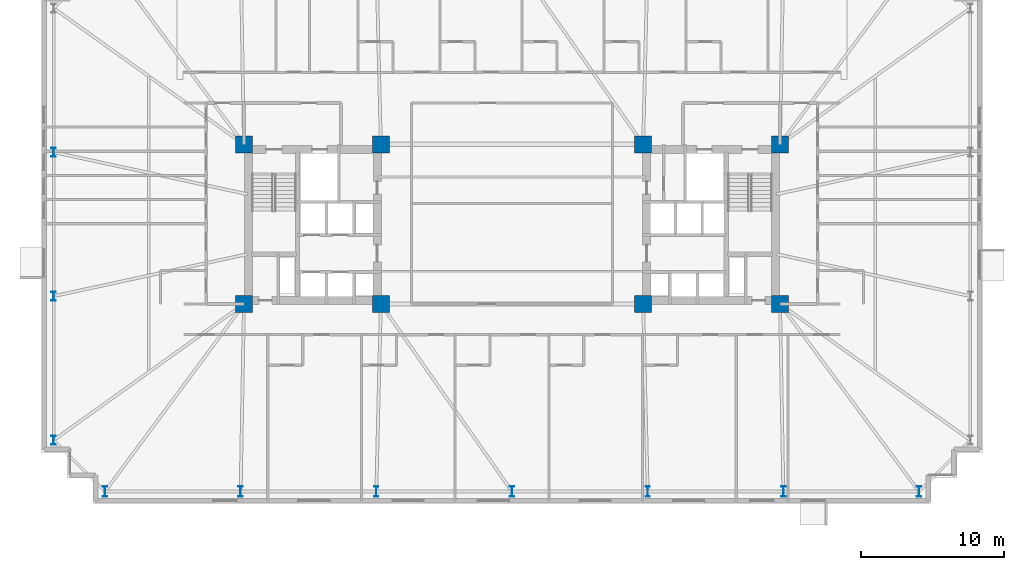
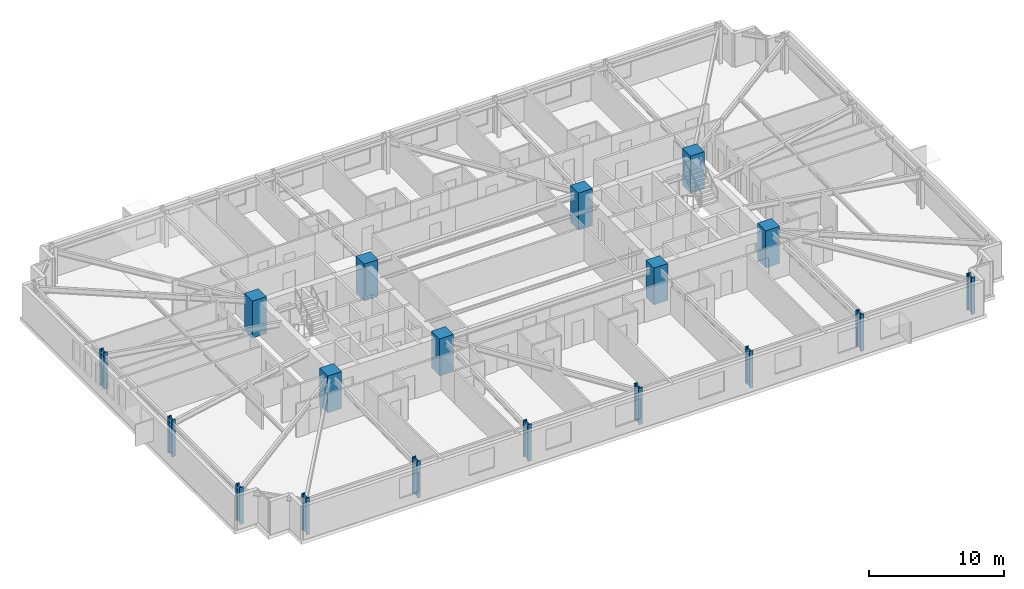
# One storey, part 1 of 22: 18 columns.
"""IFC4 building model written with IfcOpenShell, lengths in metres."""

from ifc_helpers import new_model, si_unit, direction, frame, origin, origin_2d, place, context, subcontext, project, spatial, rectangle, i_section, extrude, material, material_profile, profile_set, type_object, element, save


model = new_model("IFC4")

# Units and contexts
model_context = context("Model", 3, precision=1e-05, world=origin(), true_north=direction((0.0, 1.0)))
body_context = subcontext(model_context, "Body", "Model", "MODEL_VIEW")
ifc_project = project(units=[si_unit("LENGTHUNIT", "METRE"), si_unit("AREAUNIT", "SQUARE_METRE"), si_unit("VOLUMEUNIT", "CUBIC_METRE"), si_unit("PLANEANGLEUNIT", "RADIAN"), si_unit("MASSUNIT", "GRAM", prefix="KILO")], contexts=[model_context])

# Site, building, storey
site_placement = place(None, origin())
site = spatial("IfcSite", under=ifc_project, at=site_placement, CompositionType="ELEMENT")
building_placement = place(site_placement, origin())
building = spatial("IfcBuilding", under=site, at=building_placement, Name="Qobustan Lattice House", CompositionType="ELEMENT")
storey_placement = place(building_placement, frame((0.0, 0.0, 53.800048828125)))
storey = spatial("IfcBuildingStorey", under=building, at=storey_placement, Name="L14", CompositionType="ELEMENT", Elevation=53.800048828125)

# Columns
ifc_material_1 = material(Name="Concrete C60/75", Category="concrete")
ifc_material_profile_1 = material_profile(ifc_material_1, rectangle(XDim=1.199951171875, YDim=1.199951171875, at=origin_2d()), Name="RC1200x1200")
ifc_profile_set_1 = profile_set([ifc_material_profile_1], Name="Concrete C60/75")
column_type_1 = type_object("IfcColumnType", Name="COL-RC-1200", PredefinedType="COLUMN", material=ifc_profile_set_1)
for number, where, z_axis, x_axis, name in (
    (1, (-18.800048828125, -5.60009765625, 0.0), (0.0, 0.0, 1.0), (1.0, 0.0, 0.0), "L14 core mega-column CW-SW"),
    (2, (-18.800048828125, 5.60009765625, 0.0), (0.0, 0.0, 1.0), (1.0, 0.0, 0.0), "L14 core mega-column CW-NW"),
    (3, (-9.199951171875, -5.60009765625, 0.0), (0.0, 0.0, 1.0), (1.0, 0.0, 0.0), "L14 core mega-column CW-SE"),
    (4, (-9.199951171875, 5.60009765625, 0.0), (0.0, 0.0, 1.0), (1.0, 0.0, 0.0), "L14 core mega-column CW-NE"),
    (5, (9.199951171875, -5.60009765625, 0.0), (0.0, 0.0, 1.0), (1.0, 0.0, 0.0), "L14 core mega-column CE-SW"),
    (6, (9.199951171875, 5.60009765625, 0.0), (0.0, 0.0, 1.0), (1.0, 0.0, 0.0), "L14 core mega-column CE-NW"),
    (7, (18.800048828125, -5.60009765625, 0.0), (0.0, 0.0, 1.0), (1.0, 0.0, 0.0), "L14 core mega-column CE-SE"),
    (8, (18.800048828125, 5.60009765625, 0.0), (0.0, 0.0, 1.0), (1.0, 0.0, 0.0), "L14 core mega-column CE-NE"),
):
    element("IfcColumn", number, at=place(storey_placement, frame(where, z_axis=z_axis, x_axis=x_axis)), inside=storey, type_object=column_type_1, Name=name, PredefinedType="COLUMN", context=body_context, shape_type="SweptSolid", body=[
        extrude(rectangle(XDim=1.199951171875, YDim=1.199951171875, at=origin_2d()), origin(), (0.0, 0.0, 1.0), 3.349853515625),
    ])
ifc_material_2 = material(Name="Steel S460", Category="steel")
ifc_material_profile_2 = material_profile(ifc_material_2, i_section(OverallWidth=0.304931640625, OverallDepth=0.6201171875, WebThickness=0.02099609375, FlangeThickness=0.0400390625, FilletRadius=0.027099609375, at=origin_2d()), Name="HEM600")
ifc_profile_set_2 = profile_set([ifc_material_profile_2], Name="Steel S460")
column_type_2 = type_object("IfcColumnType", Name="COL-ST-HEM600", PredefinedType="COLUMN", material=ifc_profile_set_2)
for number, where, z_axis, x_axis, name in (
    (9, (-32.14990234375, 5.050048828125, 0.0), (0.0, 0.0, 1.0), (1.0, 0.0, 0.0), "L14 B1 perimeter column W2"),
    (10, (-32.14990234375, -5.050048828125, 0.0), (0.0, 0.0, 1.0), (1.0, 0.0, 0.0), "L14 B1 perimeter column W3"),
    (11, (-32.14990234375, -15.14990234375, 0.0), (0.0, 0.0, 1.0), (1.0, 0.0, 0.0), "L14 B1 perimeter column W4"),
):
    element("IfcColumn", number, at=place(storey_placement, frame(where, z_axis=z_axis, x_axis=x_axis)), inside=storey, type_object=column_type_2, Name=name, PredefinedType="COLUMN", context=body_context, shape_type="SweptSolid", body=[
        extrude(i_section(OverallWidth=0.304931640625, OverallDepth=0.6201171875, WebThickness=0.02099609375, FlangeThickness=0.0400390625, FilletRadius=0.027099609375, at=origin_2d()), origin(), (0.0, 0.0, 1.0), 3.349853515625),
    ])
ifc_material_3 = material(Name="Steel S460", Category="steel")
ifc_material_profile_3 = material_profile(ifc_material_3, i_section(OverallWidth=0.303955078125, OverallDepth=0.716064453125, WebThickness=0.02099609375, FlangeThickness=0.0400390625, FilletRadius=0.027099609375, at=origin_2d()), Name="HEM700")
ifc_profile_set_3 = profile_set([ifc_material_profile_3], Name="Steel S460")
column_type_3 = type_object("IfcColumnType", Name="COL-ST-HEM700", PredefinedType="COLUMN", material=ifc_profile_set_3)
for number, where, z_axis, x_axis, name in (
    (12, (-28.550048828125, -18.75, 0.0), (0.0, 0.0, 1.0), (1.0, 0.0, 0.0), "L14 B1 perimeter column S1"),
    (13, (-19.033203125, -18.75, 0.0), (0.0, 0.0, 1.0), (1.0, 0.0, 0.0), "L14 B1 perimeter column S2"),
    (14, (-9.5166015625, -18.75, 0.0), (0.0, 0.0, 1.0), (1.0, 0.0, 0.0), "L14 B1 perimeter column S3"),
    (15, (0.0, -18.75, 0.0), (0.0, 0.0, 1.0), (1.0, 0.0, 0.0), "L14 B1 perimeter column S4"),
    (16, (9.5166015625, -18.75, 0.0), (0.0, 0.0, 1.0), (1.0, 0.0, 0.0), "L14 B1 perimeter column S5"),
    (17, (19.033203125, -18.75, 0.0), (0.0, 0.0, 1.0), (1.0, 0.0, 0.0), "L14 B1 perimeter column S6"),
    (18, (28.550048828125, -18.75, 0.0), (0.0, 0.0, 1.0), (1.0, 0.0, 0.0), "L14 B1 perimeter column S7"),
):
    element("IfcColumn", number, at=place(storey_placement, frame(where, z_axis=z_axis, x_axis=x_axis)), inside=storey, type_object=column_type_3, Name=name, PredefinedType="COLUMN", context=body_context, shape_type="SweptSolid", body=[
        extrude(i_section(OverallWidth=0.303955078125, OverallDepth=0.716064453125, WebThickness=0.02099609375, FlangeThickness=0.0400390625, FilletRadius=0.027099609375, at=origin_2d()), origin(), (0.0, 0.0, 1.0), 3.349853515625),
    ])

save(model, "model.ifc")
